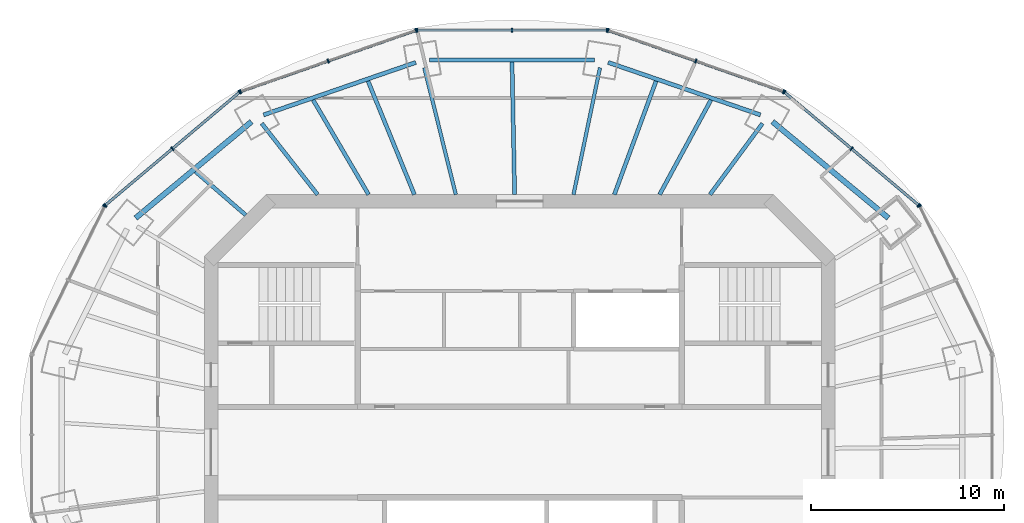
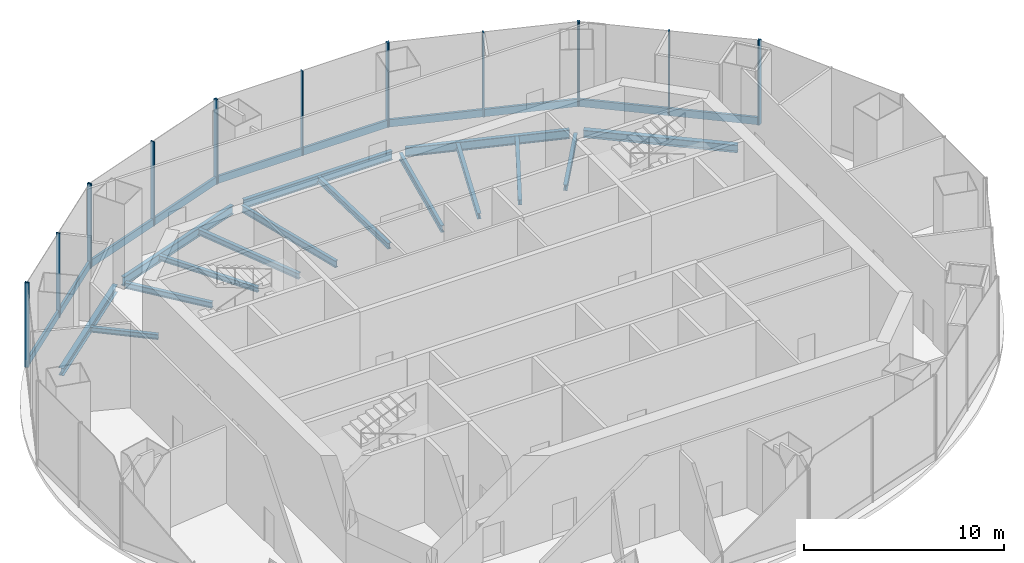
# One storey, part 5 of 11: 22 members, 15 beams, 7 elements without a shape of their own.
"""IFC4 building model written with IfcOpenShell, lengths in metres."""

from ifc_helpers import new_model, si_unit, direction, frame, origin, origin_2d, place, context, subcontext, project, spatial, rectangle, i_section, extrude, material, material_profile, profile_set, type_object, element, aggregate, save


model = new_model("IFC4")

# Units and contexts
model_context = context("Model", 3, precision=1e-05, world=origin(), true_north=direction((0.0, 1.0)))
body_context = subcontext(model_context, "Body", "Model", "MODEL_VIEW")
ifc_project = project(units=[si_unit("LENGTHUNIT", "METRE"), si_unit("AREAUNIT", "SQUARE_METRE"), si_unit("VOLUMEUNIT", "CUBIC_METRE"), si_unit("PLANEANGLEUNIT", "RADIAN"), si_unit("MASSUNIT", "GRAM", prefix="KILO")], contexts=[model_context])

# Site, building, storey
site_placement = place(None, origin())
site = spatial("IfcSite", under=ifc_project, at=site_placement, CompositionType="ELEMENT")
building_placement = place(site_placement, origin())
building = spatial("IfcBuilding", under=site, at=building_placement, Name="Marenthal Gate Tower", CompositionType="ELEMENT")
storey_placement = place(building_placement, frame((0.0, 0.0, 396.550048828125)))
storey = spatial("IfcBuildingStorey", under=building, at=storey_placement, Name="L90", CompositionType="ELEMENT", Elevation=396.550048828125)

# Curtain wall, member
ifc_material_1 = material(Name="Aluminium and glass", Category="aluminium")
curtain_wall_type = type_object("IfcCurtainWallType", Name="Curtain wall observation", PredefinedType="NOTDEFINED", material=ifc_material_1)
curtain_wall_1_placement = place(storey_placement, origin())
curtain_wall_1 = element("IfcCurtainWall", 1, at=curtain_wall_1_placement, inside=storey, type_object=curtain_wall_type, Name="Curtain wall L90 bay 1", PredefinedType="NOTDEFINED")
ifc_material_2 = material(Name="Aluminium", Category="aluminium")
ifc_material_profile_1 = material_profile(ifc_material_2, rectangle(XDim=0.219970703125, YDim=0.070068359375, at=origin_2d()), Name="70x220 aluminium mullion")
ifc_profile_set_1 = profile_set([ifc_material_profile_1], Name="Aluminium")
member_type_1 = type_object("IfcMemberType", Name="Mullion 70x220 observation", PredefinedType="MULLION", material=ifc_profile_set_1)
member_1_placement = place(storey_placement, frame((20.7158203125, 12.751220703125, 0.0), z_axis=(0.0, 0.0, 1.0), x_axis=(-0.897385793576, -0.441246798842, 0.0)))
member_1 = element("IfcMember", 2, at=member_1_placement, type_object=member_type_1, Name="Mullion L90 bay 1.3", PredefinedType="MULLION", context=body_context, shape_type="SweptSolid", body=[
    extrude(rectangle(XDim=0.219970703125, YDim=0.070068359375, at=origin_2d()), origin(), (0.0, 0.0, 1.0), 5.14990234375),
])
aggregate(curtain_wall_1, [member_1])

# Curtain wall, members
curtain_wall_2_placement = place(storey_placement, origin())
curtain_wall_2 = element("IfcCurtainWall", 3, at=curtain_wall_2_placement, inside=storey, type_object=curtain_wall_type, Name="Curtain wall L90 bay 2", PredefinedType="NOTDEFINED")
member_2_placement = place(storey_placement, frame((20.6796875, 12.79736328125, 0.0), z_axis=(0.0, 0.0, 1.0), x_axis=(-0.644265226944, -0.764802142616, 0.0)))
member_2 = element("IfcMember", 4, at=member_2_placement, type_object=member_type_1, Name="Mullion L90 bay 2.1", PredefinedType="MULLION", context=body_context, shape_type="SweptSolid", body=[
    extrude(rectangle(XDim=0.219970703125, YDim=0.070068359375, at=origin_2d()), origin(), (0.0, 0.0, 1.0), 5.14990234375),
])
member_3_placement = place(storey_placement, frame((17.201416015625, 15.7275390625, 0.0), z_axis=(0.0, 0.0, 1.0), x_axis=(-0.644265226944, -0.764802142616, 0.0)))
member_3 = element("IfcMember", 5, at=member_3_placement, type_object=member_type_1, Name="Mullion L90 bay 2.2", PredefinedType="MULLION", context=body_context, shape_type="SweptSolid", body=[
    extrude(rectangle(XDim=0.219970703125, YDim=0.070068359375, at=origin_2d()), origin(), (0.0, 0.0, 1.0), 5.14990234375),
])
member_4_placement = place(storey_placement, frame((13.723388671875, 18.657470703125, 0.0), z_axis=(0.0, 0.0, 1.0), x_axis=(-0.644265226944, -0.764802142616, 0.0)))
member_4 = element("IfcMember", 6, at=member_4_placement, type_object=member_type_1, Name="Mullion L90 bay 2.3", PredefinedType="MULLION", context=body_context, shape_type="SweptSolid", body=[
    extrude(rectangle(XDim=0.219970703125, YDim=0.070068359375, at=origin_2d()), origin(), (0.0, 0.0, 1.0), 5.14990234375),
])

curtain_wall_3_placement = place(storey_placement, origin())
curtain_wall_3 = element("IfcCurtainWall", 7, at=curtain_wall_3_placement, inside=storey, type_object=curtain_wall_type, Name="Curtain wall L90 bay 3", PredefinedType="NOTDEFINED")
member_5_placement = place(storey_placement, frame((13.672119140625, 18.686767578125, 0.0), z_axis=(0.0, 0.0, 1.0), x_axis=(-0.329453888639, -0.944171666203, 0.0)))
member_5 = element("IfcMember", 8, at=member_5_placement, type_object=member_type_1, Name="Mullion L90 bay 3.1", PredefinedType="MULLION", context=body_context, shape_type="SweptSolid", body=[
    extrude(rectangle(XDim=0.219970703125, YDim=0.070068359375, at=origin_2d()), origin(), (0.0, 0.0, 1.0), 5.14990234375),
])
member_6_placement = place(storey_placement, frame((9.1259765625, 20.27294921875, 0.0), z_axis=(0.0, 0.0, 1.0), x_axis=(-0.329453888639, -0.944171666203, 0.0)))
member_6 = element("IfcMember", 9, at=member_6_placement, type_object=member_type_1, Name="Mullion L90 bay 3.2", PredefinedType="MULLION", context=body_context, shape_type="SweptSolid", body=[
    extrude(rectangle(XDim=0.219970703125, YDim=0.070068359375, at=origin_2d()), origin(), (0.0, 0.0, 1.0), 5.14990234375),
])
member_7_placement = place(storey_placement, frame((4.57958984375, 21.859375, 0.0), z_axis=(0.0, 0.0, 1.0), x_axis=(-0.329453888639, -0.944171666203, 0.0)))
member_7 = element("IfcMember", 10, at=member_7_placement, type_object=member_type_1, Name="Mullion L90 bay 3.3", PredefinedType="MULLION", context=body_context, shape_type="SweptSolid", body=[
    extrude(rectangle(XDim=0.219970703125, YDim=0.070068359375, at=origin_2d()), origin(), (0.0, 0.0, 1.0), 5.14990234375),
])

curtain_wall_4_placement = place(storey_placement, origin())
curtain_wall_4 = element("IfcCurtainWall", 11, at=curtain_wall_4_placement, inside=storey, type_object=curtain_wall_type, Name="Curtain wall L90 bay 4", PredefinedType="NOTDEFINED")
member_8_placement = place(storey_placement, frame((4.521484375, 21.869140625, 0.0), z_axis=(0.0, 0.0, 1.0), x_axis=(0.0, -1.0, 0.0)))
member_8 = element("IfcMember", 12, at=member_8_placement, type_object=member_type_1, Name="Mullion L90 bay 4.1", PredefinedType="MULLION", context=body_context, shape_type="SweptSolid", body=[
    extrude(rectangle(XDim=0.219970703125, YDim=0.070068359375, at=origin_2d()), origin(), (0.0, 0.0, 1.0), 5.14990234375),
])
member_9_placement = place(storey_placement, frame((-0.39990234375, 21.869140625, 0.0), z_axis=(0.0, 0.0, 1.0), x_axis=(0.0, -1.0, 0.0)))
member_9 = element("IfcMember", 13, at=member_9_placement, type_object=member_type_1, Name="Mullion L90 bay 4.2", PredefinedType="MULLION", context=body_context, shape_type="SweptSolid", body=[
    extrude(rectangle(XDim=0.219970703125, YDim=0.070068359375, at=origin_2d()), origin(), (0.0, 0.0, 1.0), 5.14990234375),
])
member_10_placement = place(storey_placement, frame((-5.3212890625, 21.869140625, 0.0), z_axis=(0.0, 0.0, 1.0), x_axis=(0.0, -1.0, 0.0)))
member_10 = element("IfcMember", 14, at=member_10_placement, type_object=member_type_1, Name="Mullion L90 bay 4.3", PredefinedType="MULLION", context=body_context, shape_type="SweptSolid", body=[
    extrude(rectangle(XDim=0.219970703125, YDim=0.070068359375, at=origin_2d()), origin(), (0.0, 0.0, 1.0), 5.14990234375),
])

curtain_wall_5_placement = place(storey_placement, origin())
curtain_wall_5 = element("IfcCurtainWall", 15, at=curtain_wall_5_placement, inside=storey, type_object=curtain_wall_type, Name="Curtain wall L90 bay 5", PredefinedType="NOTDEFINED")
member_11_placement = place(storey_placement, frame((-5.379638671875, 21.859375, 0.0), z_axis=(0.0, 0.0, 1.0), x_axis=(0.329453888639, -0.944171666203, 0.0)))
member_11 = element("IfcMember", 16, at=member_11_placement, type_object=member_type_1, Name="Mullion L90 bay 5.1", PredefinedType="MULLION", context=body_context, shape_type="SweptSolid", body=[
    extrude(rectangle(XDim=0.219970703125, YDim=0.070068359375, at=origin_2d()), origin(), (0.0, 0.0, 1.0), 5.14990234375),
])
member_12_placement = place(storey_placement, frame((-9.926025390625, 20.27294921875, 0.0), z_axis=(0.0, 0.0, 1.0), x_axis=(0.329453888639, -0.944171666203, 0.0)))
member_12 = element("IfcMember", 17, at=member_12_placement, type_object=member_type_1, Name="Mullion L90 bay 5.2", PredefinedType="MULLION", context=body_context, shape_type="SweptSolid", body=[
    extrude(rectangle(XDim=0.219970703125, YDim=0.070068359375, at=origin_2d()), origin(), (0.0, 0.0, 1.0), 5.14990234375),
])
member_13_placement = place(storey_placement, frame((-14.47216796875, 18.686767578125, 0.0), z_axis=(0.0, 0.0, 1.0), x_axis=(0.329453888639, -0.944171666203, 0.0)))
member_13 = element("IfcMember", 18, at=member_13_placement, type_object=member_type_1, Name="Mullion L90 bay 5.3", PredefinedType="MULLION", context=body_context, shape_type="SweptSolid", body=[
    extrude(rectangle(XDim=0.219970703125, YDim=0.070068359375, at=origin_2d()), origin(), (0.0, 0.0, 1.0), 5.14990234375),
])

curtain_wall_6_placement = place(storey_placement, origin())
curtain_wall_6 = element("IfcCurtainWall", 19, at=curtain_wall_6_placement, inside=storey, type_object=curtain_wall_type, Name="Curtain wall L90 bay 6", PredefinedType="NOTDEFINED")
member_14_placement = place(storey_placement, frame((-14.5234375, 18.657470703125, 0.0), z_axis=(0.0, 0.0, 1.0), x_axis=(0.644265226944, -0.764802142616, 0.0)))
member_14 = element("IfcMember", 20, at=member_14_placement, type_object=member_type_1, Name="Mullion L90 bay 6.1", PredefinedType="MULLION", context=body_context, shape_type="SweptSolid", body=[
    extrude(rectangle(XDim=0.219970703125, YDim=0.070068359375, at=origin_2d()), origin(), (0.0, 0.0, 1.0), 5.14990234375),
])
member_15_placement = place(storey_placement, frame((-18.001708984375, 15.7275390625, 0.0), z_axis=(0.0, 0.0, 1.0), x_axis=(0.644265226944, -0.764802142616, 0.0)))
member_15 = element("IfcMember", 21, at=member_15_placement, type_object=member_type_1, Name="Mullion L90 bay 6.2", PredefinedType="MULLION", context=body_context, shape_type="SweptSolid", body=[
    extrude(rectangle(XDim=0.219970703125, YDim=0.070068359375, at=origin_2d()), origin(), (0.0, 0.0, 1.0), 5.14990234375),
])
member_16_placement = place(storey_placement, frame((-21.479736328125, 12.79736328125, 0.0), z_axis=(0.0, 0.0, 1.0), x_axis=(0.644265226944, -0.764802142616, 0.0)))
member_16 = element("IfcMember", 22, at=member_16_placement, type_object=member_type_1, Name="Mullion L90 bay 6.3", PredefinedType="MULLION", context=body_context, shape_type="SweptSolid", body=[
    extrude(rectangle(XDim=0.219970703125, YDim=0.070068359375, at=origin_2d()), origin(), (0.0, 0.0, 1.0), 5.14990234375),
])

# Curtain wall, member
curtain_wall_7_placement = place(storey_placement, origin())
curtain_wall_7 = element("IfcCurtainWall", 23, at=curtain_wall_7_placement, inside=storey, type_object=curtain_wall_type, Name="Curtain wall L90 bay 7", PredefinedType="NOTDEFINED")
member_17_placement = place(storey_placement, frame((-21.515869140625, 12.751220703125, 0.0), z_axis=(0.0, 0.0, 1.0), x_axis=(0.897385793576, -0.441246798842, 0.0)))
member_17 = element("IfcMember", 24, at=member_17_placement, type_object=member_type_1, Name="Mullion L90 bay 7.1", PredefinedType="MULLION", context=body_context, shape_type="SweptSolid", body=[
    extrude(rectangle(XDim=0.219970703125, YDim=0.070068359375, at=origin_2d()), origin(), (0.0, 0.0, 1.0), 5.14990234375),
])
aggregate(curtain_wall_7, [member_17])

# Member
ifc_material_3 = material(Name="Aluminium", Category="aluminium")
ifc_material_profile_2 = material_profile(ifc_material_3, rectangle(XDim=0.139892578125, YDim=0.449951171875, at=origin_2d()), Name="140x450 aluminium transom")
ifc_profile_set_2 = profile_set([ifc_material_profile_2], Name="Aluminium")
member_type_2 = type_object("IfcMemberType", Name="Transom 140x450 observation", PredefinedType="USERDEFINED", material=ifc_profile_set_2)
member_18_placement = place(storey_placement, frame((20.653076171875, 12.820068359375, 0.224853515625), z_axis=(-0.764811585379, 0.644254017349, 0.0), x_axis=(-0.644254017349, -0.764811585379, 0.0)))
member_18 = element("IfcMember", 25, at=member_18_placement, type_object=member_type_2, Name="Transom L90 bay 2", ObjectType="TRANSOM", PredefinedType="USERDEFINED", context=body_context, shape_type="SweptSolid", body=[
    extrude(rectangle(XDim=0.139892578125, YDim=0.449951171875, at=origin_2d()), origin(), (0.0, 0.0, 1.0), 9.02587890625),
])

aggregate(curtain_wall_2, [member_2, member_3, member_4, member_18])

member_19_placement = place(storey_placement, frame((13.638916015625, 18.6982421875, 0.224853515625), z_axis=(-0.944167299887, 0.329466401662, 0.0), x_axis=(-0.329466401662, -0.944167299887, 0.0)))
member_19 = element("IfcMember", 26, at=member_19_placement, type_object=member_type_2, Name="Transom L90 bay 3", ObjectType="TRANSOM", PredefinedType="USERDEFINED", context=body_context, shape_type="SweptSolid", body=[
    extrude(rectangle(XDim=0.139892578125, YDim=0.449951171875, at=origin_2d()), origin(), (0.0, 0.0, 1.0), 9.559814453125),
])

aggregate(curtain_wall_3, [member_5, member_6, member_7, member_19])

member_20_placement = place(storey_placement, frame((4.486328125, 21.869140625, 0.224853515625), z_axis=(-1.0, 0.0, 0.0), x_axis=(0.0, -1.0, 0.0)))
member_20 = element("IfcMember", 27, at=member_20_placement, type_object=member_type_2, Name="Transom L90 bay 4", ObjectType="TRANSOM", PredefinedType="USERDEFINED", context=body_context, shape_type="SweptSolid", body=[
    extrude(rectangle(XDim=0.139892578125, YDim=0.449951171875, at=origin_2d()), origin(), (0.0, 0.0, 1.0), 9.772705078125),
])

aggregate(curtain_wall_4, [member_8, member_9, member_10, member_20])

member_21_placement = place(storey_placement, frame((-5.412841796875, 21.847900390625, 0.224853515625), z_axis=(-0.944167299887, -0.329466401662, 0.0), x_axis=(0.329466401662, -0.944167299887, 0.0)))
member_21 = element("IfcMember", 28, at=member_21_placement, type_object=member_type_2, Name="Transom L90 bay 5", ObjectType="TRANSOM", PredefinedType="USERDEFINED", context=body_context, shape_type="SweptSolid", body=[
    extrude(rectangle(XDim=0.139892578125, YDim=0.449951171875, at=origin_2d()), origin(), (0.0, 0.0, 1.0), 9.559814453125),
])

aggregate(curtain_wall_5, [member_11, member_12, member_13, member_21])

member_22_placement = place(storey_placement, frame((-14.550048828125, 18.635009765625, 0.224853515625), z_axis=(-0.764800357968, -0.64426734548, 0.0), x_axis=(0.64426734548, -0.764800357968, 0.0)))
member_22 = element("IfcMember", 29, at=member_22_placement, type_object=member_type_2, Name="Transom L90 bay 6", ObjectType="TRANSOM", PredefinedType="USERDEFINED", context=body_context, shape_type="SweptSolid", body=[
    extrude(rectangle(XDim=0.139892578125, YDim=0.449951171875, at=origin_2d()), origin(), (0.0, 0.0, 1.0), 9.025634765625),
])

aggregate(curtain_wall_6, [member_14, member_15, member_16, member_22])

# Beams
ifc_material_4 = material(Name="Steel S355", Category="steel")
ifc_material_profile_3 = material_profile(ifc_material_4, i_section(OverallWidth=0.205078125, OverallDepth=0.31005859375, WebThickness=0.009521484375, FlangeThickness=0.016357421875, FilletRadius=0.0126953125, at=origin_2d()), Name="W310X74")
ifc_profile_set_3 = profile_set([ifc_material_profile_3], Name="Steel S355")
beam_type_1 = type_object("IfcBeamType", Name="W310X74 beam", PredefinedType="BEAM", material=ifc_profile_set_3)
beam_1_placement = place(storey_placement, frame((9.91162109375, 18.254150390625, -0.405029296875), z_axis=(-0.477180684448, -0.878805208445, 0.0), x_axis=(0.878805208445, -0.477180684448, 0.0)))
element("IfcBeam", 30, at=beam_1_placement, inside=storey, type_object=beam_type_1, Name="BM-L90-19", PredefinedType="BEAM", context=body_context, shape_type="SweptSolid", body=[
    extrude(i_section(OverallWidth=0.205078125, OverallDepth=0.31005859375, WebThickness=0.009521484375, FlangeThickness=0.016357421875, FilletRadius=0.0126953125, at=origin_2d()), origin(), (0.0, 0.0, 1.0), 5.580322265625),
])
beam_2_placement = place(storey_placement, frame((-10.7080078125, 18.25537109375, -0.405029296875), z_axis=(0.505940938232, -0.862568123119, 0.0), x_axis=(0.862568123119, 0.505940938232, 0.0)))
element("IfcBeam", 31, at=beam_2_placement, inside=storey, type_object=beam_type_1, Name="BM-L90-23", PredefinedType="BEAM", context=body_context, shape_type="SweptSolid", body=[
    extrude(i_section(OverallWidth=0.205078125, OverallDepth=0.31005859375, WebThickness=0.009521484375, FlangeThickness=0.016357421875, FilletRadius=0.0126953125, at=origin_2d()), origin(), (0.0, 0.0, 1.0), 5.686767578125),
])
beam_3_placement = place(storey_placement, frame((-16.798828125, 14.539306640625, -0.405029296875), z_axis=(0.756115904848, -0.654437726935, 0.0), x_axis=(0.654437726935, 0.756115904848, 0.0)))
element("IfcBeam", 32, at=beam_3_placement, inside=storey, type_object=beam_type_1, Name="BM-L90-24", PredefinedType="BEAM", context=body_context, shape_type="SweptSolid", body=[
    extrude(i_section(OverallWidth=0.205078125, OverallDepth=0.31005859375, WebThickness=0.009521484375, FlangeThickness=0.016357421875, FilletRadius=0.0126953125, at=origin_2d()), origin(), (0.0, 0.0, 1.0), 3.43359375),
])
ifc_material_5 = material(Name="Steel S355", Category="steel")
ifc_material_profile_4 = material_profile(ifc_material_5, i_section(OverallWidth=0.205078125, OverallDepth=0.35302734375, WebThickness=0.009521484375, FlangeThickness=0.016845703125, FilletRadius=0.014892578125, at=origin_2d()), Name="W360X79")
ifc_profile_set_4 = profile_set([ifc_material_profile_4], Name="Steel S355")
beam_type_2 = type_object("IfcBeamType", Name="W360X79 beam", PredefinedType="BEAM", material=ifc_profile_set_4)
beam_4_placement = place(storey_placement, frame((12.58056640625, 17.035400390625, -0.426513671875), z_axis=(-0.594074859314, -0.804409759719, 0.0), x_axis=(0.804409759719, -0.594074859314, 0.0)))
element("IfcBeam", 33, at=beam_4_placement, inside=storey, type_object=beam_type_2, Name="BM-L90-03", PredefinedType="BEAM", context=body_context, shape_type="SweptSolid", body=[
    extrude(i_section(OverallWidth=0.205078125, OverallDepth=0.35302734375, WebThickness=0.009521484375, FlangeThickness=0.016845703125, FilletRadius=0.014892578125, at=origin_2d()), origin(), (0.0, 0.0, 1.0), 4.581298828125),
])
beam_5_placement = place(storey_placement, frame((-13.36865234375, 17.03955078125, -0.426513671875), z_axis=(0.617251167198, -0.786766163858, 0.0), x_axis=(0.786766163858, 0.617251167198, 0.0)))
element("IfcBeam", 34, at=beam_5_placement, inside=storey, type_object=beam_type_2, Name="BM-L90-06", PredefinedType="BEAM", context=body_context, shape_type="SweptSolid", body=[
    extrude(i_section(OverallWidth=0.205078125, OverallDepth=0.35302734375, WebThickness=0.009521484375, FlangeThickness=0.016845703125, FilletRadius=0.014892578125, at=origin_2d()), origin(), (0.0, 0.0, 1.0), 4.689453125),
])
beam_6_placement = place(storey_placement, frame((7.06640625, 19.234619140625, -0.426513671875), z_axis=(-0.344846173648, -0.938659212132, 0.0), x_axis=(0.938659212132, -0.344846173648, 0.0)))
element("IfcBeam", 35, at=beam_6_placement, inside=storey, type_object=beam_type_2, Name="BM-L90-20", PredefinedType="BEAM", context=body_context, shape_type="SweptSolid", body=[
    extrude(i_section(OverallWidth=0.205078125, OverallDepth=0.35302734375, WebThickness=0.009521484375, FlangeThickness=0.016845703125, FilletRadius=0.014892578125, at=origin_2d()), origin(), (0.0, 0.0, 1.0), 6.26904296875),
])
beam_7_placement = place(storey_placement, frame((-0.39794921875, 20.21337890625, -0.426513671875), z_axis=(0.019703061156, -0.999805875848, 0.0), x_axis=(0.999805875848, 0.019703061156, 0.0)))
element("IfcBeam", 36, at=beam_7_placement, inside=storey, type_object=beam_type_2, Name="BM-L90-21", PredefinedType="BEAM", context=body_context, shape_type="SweptSolid", body=[
    extrude(i_section(OverallWidth=0.205078125, OverallDepth=0.35302734375, WebThickness=0.009521484375, FlangeThickness=0.016845703125, FilletRadius=0.014892578125, at=origin_2d()), origin(), (0.0, 0.0, 1.0), 6.864501953125),
])
beam_8_placement = place(storey_placement, frame((-7.86279296875, 19.235595703125, -0.426513671875), z_axis=(0.378404082183, -0.92564050829, 0.0), x_axis=(0.92564050829, 0.378404082183, 0.0)))
element("IfcBeam", 37, at=beam_8_placement, inside=storey, type_object=beam_type_2, Name="BM-L90-22", PredefinedType="BEAM", context=body_context, shape_type="SweptSolid", body=[
    extrude(i_section(OverallWidth=0.205078125, OverallDepth=0.35302734375, WebThickness=0.009521484375, FlangeThickness=0.016845703125, FilletRadius=0.014892578125, at=origin_2d()), origin(), (0.0, 0.0, 1.0), 6.3583984375),
])
ifc_material_6 = material(Name="Steel S355", Category="steel")
ifc_material_profile_5 = material_profile(ifc_material_6, i_section(OverallWidth=0.180908203125, OverallDepth=0.4169921875, WebThickness=0.010986328125, FlangeThickness=0.018310546875, FilletRadius=0.01025390625, at=origin_2d()), Name="W410X85")
ifc_profile_set_5 = profile_set([ifc_material_profile_5], Name="Steel S355")
beam_type_3 = type_object("IfcBeamType", Name="W410X85 beam", PredefinedType="BEAM", material=ifc_profile_set_5)
beam_9_placement = place(storey_placement, frame((4.1611328125, 19.927001953125, -0.45849609375), z_axis=(-0.204431628337, -0.978880845321, 0.0), x_axis=(0.978880845321, -0.204431628337, 0.0)))
element("IfcBeam", 38, at=beam_9_placement, inside=storey, type_object=beam_type_3, Name="BM-L90-04", PredefinedType="BEAM", context=body_context, shape_type="SweptSolid", body=[
    extrude(i_section(OverallWidth=0.180908203125, OverallDepth=0.4169921875, WebThickness=0.010986328125, FlangeThickness=0.018310546875, FilletRadius=0.01025390625, at=origin_2d()), origin(), (0.0, 0.0, 1.0), 6.71875),
])
beam_10_placement = place(storey_placement, frame((-4.946044921875, 19.928466796875, -0.45849609375), z_axis=(0.240899563447, -0.9705500504, 0.0), x_axis=(0.9705500504, 0.240899563447, 0.0)))
element("IfcBeam", 39, at=beam_10_placement, inside=storey, type_object=beam_type_3, Name="BM-L90-05", PredefinedType="BEAM", context=body_context, shape_type="SweptSolid", body=[
    extrude(i_section(OverallWidth=0.180908203125, OverallDepth=0.4169921875, WebThickness=0.010986328125, FlangeThickness=0.018310546875, FilletRadius=0.01025390625, at=origin_2d()), origin(), (0.0, 0.0, 1.0), 6.778076171875),
])
ifc_material_7 = material(Name="Steel S355", Category="steel")
ifc_material_profile_6 = material_profile(ifc_material_7, i_section(OverallWidth=0.279052734375, OverallDepth=0.4619140625, WebThickness=0.0107421875, FlangeThickness=0.017333984375, FilletRadius=0.010009765625, at=origin_2d()), Name="W460X113")
ifc_profile_set_6 = profile_set([ifc_material_profile_6], Name="Steel S355")
beam_type_4 = type_object("IfcBeamType", Name="W460X113 beam", PredefinedType="BEAM", material=ifc_profile_set_6)
beam_11_placement = place(storey_placement, frame((19.106689453125, 12.13525390625, -0.48095703125), z_axis=(-0.768754019675, 0.63954457017, 0.0), x_axis=(-0.63954457017, -0.768754019675, 0.0)))
element("IfcBeam", 40, at=beam_11_placement, inside=storey, type_object=beam_type_4, Name="BM-L90-39", PredefinedType="BEAM", context=body_context, shape_type="SweptSolid", body=[
    extrude(i_section(OverallWidth=0.279052734375, OverallDepth=0.4619140625, WebThickness=0.0107421875, FlangeThickness=0.017333984375, FilletRadius=0.010009765625, at=origin_2d()), origin(), (0.0, 0.0, 1.0), 7.809326171875),
])
beam_12_placement = place(storey_placement, frame((-13.9033203125, 17.129638671875, -0.48095703125), z_axis=(-0.76874123216, -0.63955994088, 0.0), x_axis=(0.63955994088, -0.76874123216, 0.0)))
element("IfcBeam", 41, at=beam_12_placement, inside=storey, type_object=beam_type_4, Name="BM-L90-43", PredefinedType="BEAM", context=body_context, shape_type="SweptSolid", body=[
    extrude(i_section(OverallWidth=0.279052734375, OverallDepth=0.4619140625, WebThickness=0.0107421875, FlangeThickness=0.017333984375, FilletRadius=0.010009765625, at=origin_2d()), origin(), (0.0, 0.0, 1.0), 7.80908203125),
])
ifc_material_8 = material(Name="Steel S355", Category="steel")
ifc_material_profile_7 = material_profile(ifc_material_8, i_section(OverallWidth=0.2119140625, OverallDepth=0.5439453125, WebThickness=0.01318359375, FlangeThickness=0.021240234375, FilletRadius=0.0126953125, at=origin_2d()), Name="W530X123")
ifc_profile_set_7 = profile_set([ifc_material_profile_7], Name="Steel S355")
beam_type_5 = type_object("IfcBeamType", Name="W530X123 beam", PredefinedType="BEAM", material=ifc_profile_set_7)
beam_13_placement = place(storey_placement, frame((12.47900390625, 17.4814453125, -0.52197265625), z_axis=(-0.945444742422, 0.325782502639, 0.0), x_axis=(-0.325782502639, -0.945444742422, 0.0)))
element("IfcBeam", 42, at=beam_13_placement, inside=storey, type_object=beam_type_5, Name="BM-L90-40", PredefinedType="BEAM", context=body_context, shape_type="SweptSolid", body=[
    extrude(i_section(OverallWidth=0.2119140625, OverallDepth=0.5439453125, WebThickness=0.01318359375, FlangeThickness=0.021240234375, FilletRadius=0.0126953125, at=origin_2d()), origin(), (0.0, 0.0, 1.0), 8.34912109375),
])
beam_14_placement = place(storey_placement, frame((3.881591796875, 20.319580078125, -0.52197265625), z_axis=(-1.0, 0.0, 0.0), x_axis=(0.0, -1.0, 0.0)))
element("IfcBeam", 43, at=beam_14_placement, inside=storey, type_object=beam_type_5, Name="BM-L90-41", PredefinedType="BEAM", context=body_context, shape_type="SweptSolid", body=[
    extrude(i_section(OverallWidth=0.2119140625, OverallDepth=0.5439453125, WebThickness=0.01318359375, FlangeThickness=0.021240234375, FilletRadius=0.0126953125, at=origin_2d()), origin(), (0.0, 0.0, 1.0), 8.56298828125),
])
beam_15_placement = place(storey_placement, frame((-5.385498046875, 20.201416015625, -0.52197265625), z_axis=(-0.945444742422, -0.325782502639, 0.0), x_axis=(0.325782502639, -0.945444742422, 0.0)))
element("IfcBeam", 44, at=beam_15_placement, inside=storey, type_object=beam_type_5, Name="BM-L90-42", PredefinedType="BEAM", context=body_context, shape_type="SweptSolid", body=[
    extrude(i_section(OverallWidth=0.2119140625, OverallDepth=0.5439453125, WebThickness=0.01318359375, FlangeThickness=0.021240234375, FilletRadius=0.0126953125, at=origin_2d()), origin(), (0.0, 0.0, 1.0), 8.34912109375),
])

save(model, "model.ifc")
